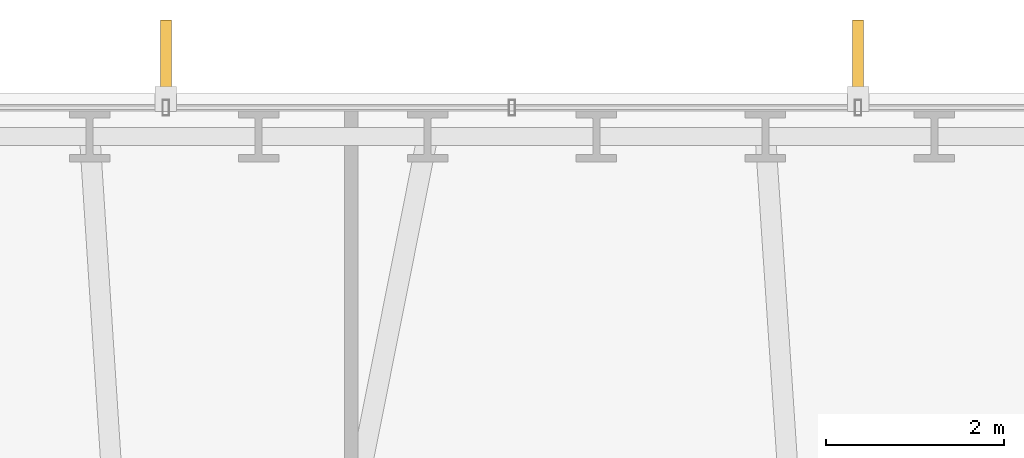
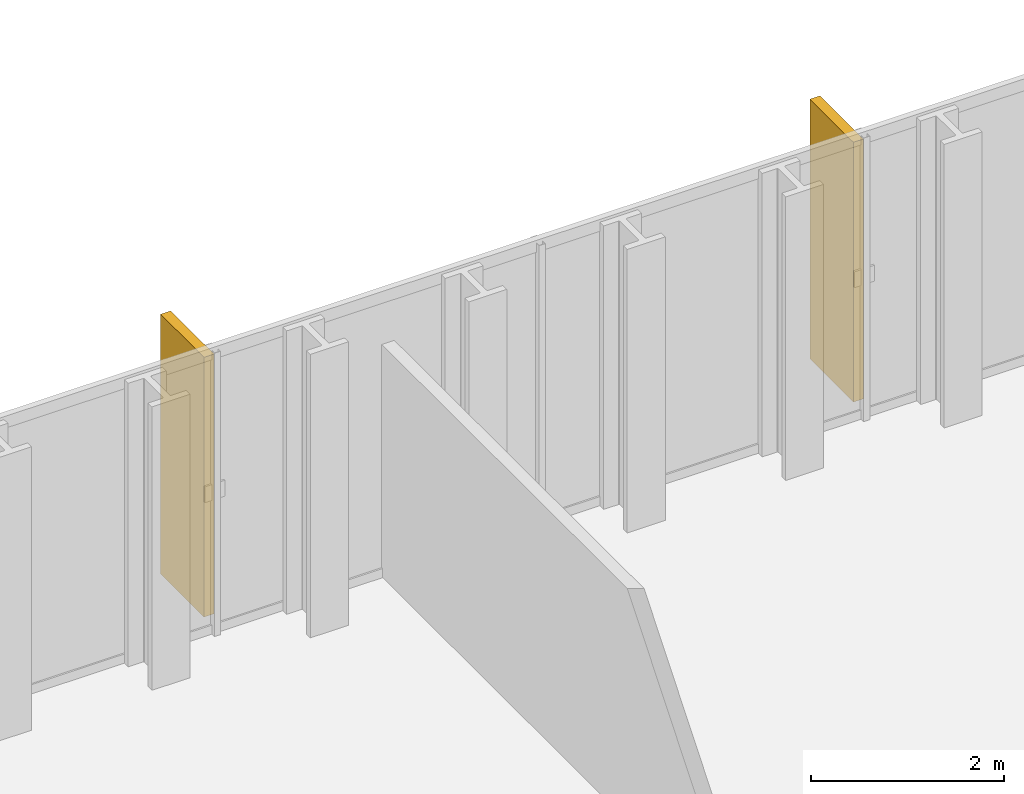
# One storey, part 32 of 32: 2 shading devices.
"""IFC4 building model written with IfcOpenShell, lengths in metres."""

from ifc_helpers import new_model, si_unit, direction, frame, origin, origin_2d, place, context, subcontext, project, spatial, rectangle, extrude, material, type_object, element, save


model = new_model("IFC4")

# Units and contexts
model_context = context("Model", 3, precision=1e-05, world=origin(), true_north=direction((0.0, 1.0)))
body_context = subcontext(model_context, "Body", "Model", "MODEL_VIEW")
ifc_project = project(units=[si_unit("LENGTHUNIT", "METRE"), si_unit("AREAUNIT", "SQUARE_METRE"), si_unit("VOLUMEUNIT", "CUBIC_METRE"), si_unit("PLANEANGLEUNIT", "RADIAN"), si_unit("MASSUNIT", "GRAM", prefix="KILO")], contexts=[model_context])

# Site, building, storey
site_placement = place(None, origin())
site = spatial("IfcSite", under=ifc_project, at=site_placement, CompositionType="ELEMENT")
building_placement = place(site_placement, origin())
building = spatial("IfcBuilding", under=site, at=building_placement, Name="Ndaravel Arena Tower", CompositionType="ELEMENT")
storey_placement = place(building_placement, frame((0.0, 0.0, 62.60009765625)))
storey = spatial("IfcBuildingStorey", under=building, at=storey_placement, Name="L13", CompositionType="ELEMENT", Elevation=62.60009765625)

# Shading devices
ifc_material = material(Name="Masonry", Category="masonry")
shading_device_type = type_object("IfcShadingDeviceType", Name="SHD-MAZERAS-FIN", PredefinedType="SHUTTER", material=ifc_material)
for number, where, z_axis, x_axis, name in (
    (1, (45.878173828125, 46.3818359375, 0.14990234375), (0.0, 0.0, 1.0), (0.0, 1.0, 0.0), "L13 Mazeras Stone Solar Fin E4.1"),
    (2, (38.121826171875, 46.3818359375, 0.14990234375), (0.0, 0.0, 1.0), (0.0, 1.0, 0.0), "L13 Mazeras Stone Solar Fin E4.2"),
):
    element("IfcShadingDevice", number, at=place(storey_placement, frame(where, z_axis=z_axis, x_axis=x_axis)), inside=storey, type_object=shading_device_type, Name=name, PredefinedType="SHUTTER", context=body_context, shape_type="SweptSolid", body=[
        extrude(rectangle(XDim=0.89990234375, YDim=0.1201171875, at=origin_2d()), origin(), (0.0, 0.0, 1.0), 3.280029296875),
    ])

save(model, "model.ifc")
